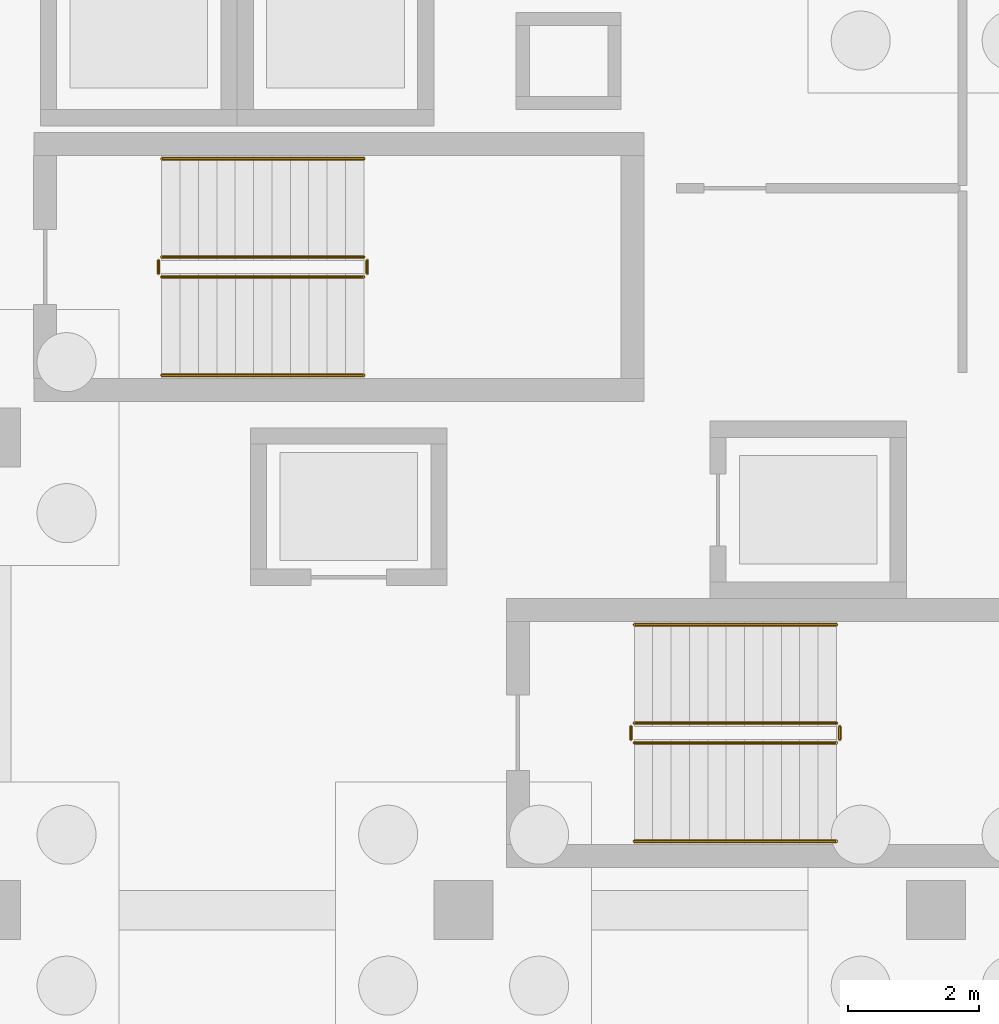
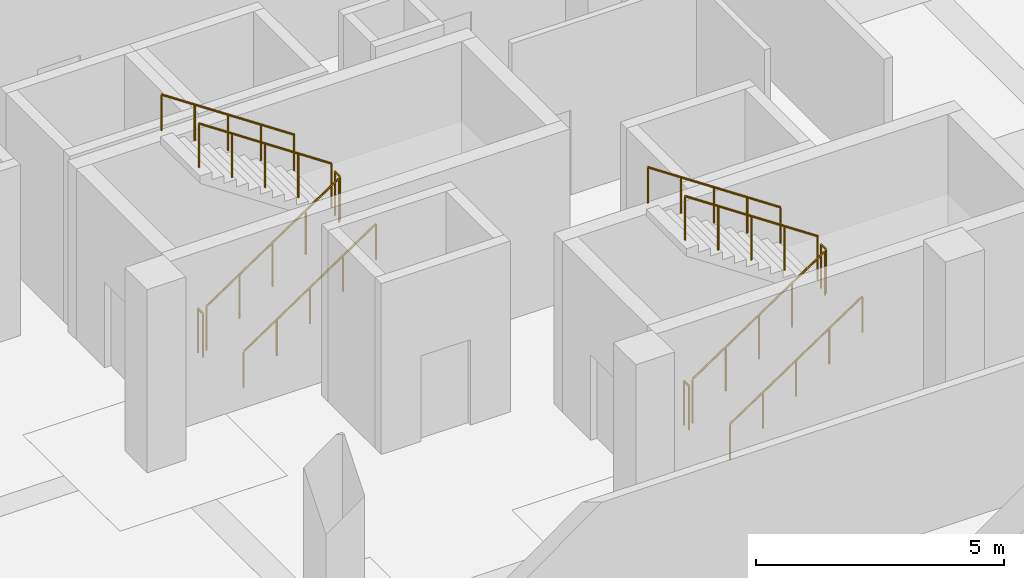
# One storey, part 33 of 36: 12 railings.
"""IFC4 building model written with IfcOpenShell, lengths in metres."""

import ifcopenshell
import ifcopenshell.guid

model = None  # the IFC model being written
_history = None  # IfcOwnerHistory: only IFC2X3 demands one
_inside = {}  # id of a spatial element -> (the spatial element, [elements in it])
_under = {}  # id of a project, library or spatial element -> (it, [spatial elements below it])
_declared = {}  # id of a project -> (the project, [libraries it declares])
_typed = {}  # id of a type object -> (the type object, [elements of that type])
_made_of = {}  # id of a material, layer set ... -> (it, [elements and type objects made of it])


def new_model(schema):
    """Start an empty IFC model of exactly this schema.

    Asked for "IFC4X3", IfcOpenShell would pick the latest addendum, in which some entities
    have other attributes; the version numbers below select the first issue.
    IFC2X3 requires an IfcOwnerHistory on every rooted entity: one is made here for all.
    """
    global model, _history
    if schema == "IFC4X3":
        model = ifcopenshell.file(schema_version=(4, 3, 0, 0))
    else:
        model = ifcopenshell.file(schema=schema)
    _inside.clear()
    _under.clear()
    _declared.clear()
    _typed.clear()
    _made_of.clear()
    _history = None
    if model.schema == "IFC2X3":
        org = make("IfcOrganization", Name="unknown")
        user = make(
            "IfcPersonAndOrganization",
            ThePerson=make("IfcPerson", FamilyName="unknown"),
            TheOrganization=org,
        )
        app = make(
            "IfcApplication",
            ApplicationDeveloper=org,
            Version="unknown",
            ApplicationFullName="unknown",
            ApplicationIdentifier="unknown",
        )
        _history = make(
            "IfcOwnerHistory",
            OwningUser=user,
            OwningApplication=app,
            ChangeAction="ADDED",
            CreationDate=0,
        )
    return model


def make(cls, **values):
    """One entity of the class cls with the attributes given. An attribute that is None is left unset."""
    return model.create_entity(
        cls, **{name: value for name, value in values.items() if value is not None}
    )


def rooted(cls, **values):
    """An entity with a GlobalId (a new one), such as an element, a storey or a relation."""
    return make(cls, GlobalId=ifcopenshell.guid.new(), OwnerHistory=_history, **values)


def si_unit(unit_type, name, prefix=None):
    """IfcSIUnit, for example si_unit("LENGTHUNIT", "METRE", prefix="MILLI")."""
    return make("IfcSIUnit", UnitType=unit_type, Prefix=prefix, Name=name)


def assignment(units):
    """IfcUnitAssignment: the units of a project."""
    return None if units is None else make("IfcUnitAssignment", Units=units)


def point(xyz):
    """IfcCartesianPoint."""
    return None if xyz is None else make("IfcCartesianPoint", Coordinates=xyz)


def direction(xyz):
    """IfcDirection."""
    return None if xyz is None else make("IfcDirection", DirectionRatios=xyz)


def frame(location, z_axis=None, x_axis=None):
    """IfcAxis2Placement3D, a coordinate frame: its origin and axes. An axis left out is left unset."""
    return make(
        "IfcAxis2Placement3D",
        Location=point(location),
        Axis=direction(z_axis),
        RefDirection=direction(x_axis),
    )


def frame_2d(location, x_axis=None):
    """IfcAxis2Placement2D, a coordinate frame in the plane: its origin and x axis."""
    return make(
        "IfcAxis2Placement2D", Location=point(location), RefDirection=direction(x_axis)
    )


def origin():
    """The frame at (0, 0, 0) with its axes left unset."""
    return frame((0.0, 0.0, 0.0))


def origin_2d():
    """The frame at (0, 0) in the plane with its x axis left unset."""
    return frame_2d((0.0, 0.0))


def place(relative_to, where):
    """IfcLocalPlacement: puts the frame where relative to a parent placement (None: the world)."""
    return make(
        "IfcLocalPlacement", PlacementRelTo=relative_to, RelativePlacement=where
    )


def context(
    kind, dimensions, precision=None, world=None, true_north=None, identifier=None
):
    """IfcGeometricRepresentationContext, for example the 3D "Model" context."""
    return make(
        "IfcGeometricRepresentationContext",
        ContextIdentifier=identifier,
        ContextType=kind,
        CoordinateSpaceDimension=dimensions,
        Precision=precision,
        WorldCoordinateSystem=world,
        TrueNorth=true_north,
    )


def subcontext(parent, identifier, kind, view, scale=None):
    """IfcGeometricRepresentationSubContext, for example "Body" below "Model"."""
    return make(
        "IfcGeometricRepresentationSubContext",
        ContextIdentifier=identifier,
        ContextType=kind,
        ParentContext=parent,
        TargetScale=scale,
        TargetView=view,
    )


def project(units=None, contexts=None):
    """IfcProject with its units and contexts."""
    return rooted(
        "IfcProject",
        Name="project",
        RepresentationContexts=contexts,
        UnitsInContext=assignment(units),
    )


def spatial(cls, under=None, at=None, **own):
    """A site, building, storey or space (cls), placed at a placement, below another one or the project."""
    s = rooted(cls, ObjectPlacement=at, **own)
    if under is not None:
        _under.setdefault(under.id(), (under, []))[1].append(s)
    return s


def profile(cls, at=None, kind="AREA", **sizes):
    """A parametric profile (cls). Its sizes go by their IFC names, for example OverallWidth=200.0."""
    return make(cls, ProfileType=kind, Position=at, **sizes)


def circle(**sizes):
    """IfcCircleProfileDef."""
    return profile("IfcCircleProfileDef", **sizes)


def extrude(swept, where, along, depth):
    """IfcExtrudedAreaSolid: the profile swept, set in the frame where, extruded along a direction by depth."""
    return make(
        "IfcExtrudedAreaSolid",
        SweptArea=swept,
        Position=where,
        ExtrudedDirection=direction(along),
        Depth=depth,
    )


def shape(context_of_items, identifier, shape_type, items):
    """IfcShapeRepresentation: the items that make up one representation, for example the "Body"."""
    return make(
        "IfcShapeRepresentation",
        ContextOfItems=context_of_items,
        RepresentationIdentifier=identifier,
        RepresentationType=shape_type,
        Items=items,
    )


def material(Name=None, Category=None):
    """IfcMaterial."""
    return make("IfcMaterial", Name=Name, Category=Category)


def made_of(thing, what):
    """Note that an element or type object is made of a material, layer set ...; save() writes the relation."""
    if what is not None:
        _made_of.setdefault(what.id(), (what, []))[1].append(thing)
    return thing


def type_object(cls, material=None, **own):
    """A type object (cls), such as IfcWallType, which elements share."""
    return made_of(rooted(cls, **own), material)


def element(
    cls,
    number,
    at=None,
    inside=None,
    cuts=None,
    type_object=None,
    material=None,
    context=None,
    identifier="Body",
    shape_type=None,
    held_by="IfcProductDefinitionShape",
    body=None,
    shapes=None,
    **own,
):
    """One element of the class cls, such as IfcWall. Its Tag is "e" and its number.

    at: its placement. inside: the storey or other place that contains it. cuts: it is an
    opening in that element (IfcRelVoidsElement). A single representation is given by context,
    identifier, shape_type and body (its items); several are given by shapes. held_by: the class
    of the entity that holds the representations. save() writes the other relations.
    """
    e = rooted(cls, Tag="e%d" % number, ObjectPlacement=at, **own)
    if body is not None:
        shapes = [shape(context, identifier, shape_type, body)]
    if shapes is not None:
        e.Representation = make(held_by, Representations=shapes)
    if inside is not None:
        _inside.setdefault(inside.id(), (inside, []))[1].append(e)
    if cuts is not None:
        rooted(
            "IfcRelVoidsElement", RelatingBuildingElement=cuts, RelatedOpeningElement=e
        )
    if type_object is not None:
        _typed.setdefault(type_object.id(), (type_object, []))[1].append(e)
    return made_of(e, material)


def aggregate(whole, parts):
    """IfcRelAggregates: a whole, such as a stair, and the parts it consists of."""
    return rooted("IfcRelAggregates", RelatingObject=whole, RelatedObjects=parts)


def save(model, path):
    """Write the relations noted so far, then the file.

    IfcRelAggregates (storeys below a building ...), IfcRelContainedInSpatialStructure (elements
    in a storey), IfcRelDefinesByType, IfcRelAssociatesMaterial and IfcRelDeclares: one each for
    every whole, place, type object, material and project.
    """
    for whole, parts in _under.values():
        aggregate(whole, parts)
    for where, things in _inside.values():
        rooted(
            "IfcRelContainedInSpatialStructure",
            RelatedElements=things,
            RelatingStructure=where,
        )
    for kind, things in _typed.values():
        rooted("IfcRelDefinesByType", RelatedObjects=things, RelatingType=kind)
    for what, things in _made_of.values():
        rooted("IfcRelAssociatesMaterial", RelatedObjects=things, RelatingMaterial=what)
    for by, libraries in _declared.values():
        rooted("IfcRelDeclares", RelatingContext=by, RelatedDefinitions=libraries)
    model.write(path)


model = new_model("IFC4")

# Units and contexts
model_context = context("Model", 3, precision=1e-05, world=origin(), true_north=direction((0.0, 1.0)))
body_context = subcontext(model_context, "Body", "Model", "MODEL_VIEW")
ifc_project = project(units=[si_unit("LENGTHUNIT", "METRE"), si_unit("AREAUNIT", "SQUARE_METRE"), si_unit("VOLUMEUNIT", "CUBIC_METRE"), si_unit("PLANEANGLEUNIT", "RADIAN"), si_unit("MASSUNIT", "GRAM", prefix="KILO")], contexts=[model_context])

# Site, building, storey
site_placement = place(None, origin())
site = spatial("IfcSite", under=ifc_project, at=site_placement, CompositionType="ELEMENT")
building_placement = place(site_placement, origin())
building = spatial("IfcBuilding", under=site, at=building_placement, Name="Kalmorath City Hall", CompositionType="ELEMENT")
storey_placement = place(building_placement, frame((0.0, 0.0, -4.5)))
storey = spatial("IfcBuildingStorey", under=building, at=storey_placement, Name="B1", CompositionType="ELEMENT", Elevation=-4.5)

# Railings
ifc_material_1 = material(Name="Painted steel guardrail", Category="steel")
railing_type_1 = type_object("IfcRailingType", Name="Protected stair guardrail 1100", PredefinedType="GUARDRAIL", material=ifc_material_1)
railing_1_placement = place(storey_placement, frame((9.800048828125, 16.85009765625, 0.1875)))
element("IfcRailing", 1, at=railing_1_placement, inside=storey, type_object=railing_type_1, Name="B1 ST-1 stair guard 1", PredefinedType="GUARDRAIL", context=body_context, shape_type="SweptSolid", body=[
    extrude(circle(Radius=0.02392578125, at=origin_2d()), frame((0.0, 0.0, 1.076171875), z_axis=(0.830893310487, 0.0, 0.556431762742), x_axis=(0.0, 1.0, 0.0)), (0.0, 0.0, 1.0), 3.70654296875),
    extrude(circle(Radius=0.02099609375, at=origin_2d()), origin(), (0.0, 0.0, 1.0), 1.052001953125),
    extrude(circle(Radius=0.02099609375, at=origin_2d()), frame((0.77001953125, 0.0, 0.515625)), (0.0, 0.0, 1.0), 1.052001953125),
    extrude(circle(Radius=0.02099609375, at=origin_2d()), frame((1.5400390625, 0.0, 1.03125)), (0.0, 0.0, 1.0), 1.052001953125),
    extrude(circle(Radius=0.02099609375, at=origin_2d()), frame((2.309814453125, 0.0, 1.546875)), (0.0, 0.0, 1.0), 1.052001953125),
    extrude(circle(Radius=0.02099609375, at=origin_2d()), frame((3.079833984375, 0.0, 2.0625)), (0.0, 0.0, 1.0), 1.052001953125),
])
railing_2_placement = place(storey_placement, frame((12.929931640625, 16.89990234375, 2.25)))
element("IfcRailing", 2, at=railing_2_placement, inside=storey, type_object=railing_type_1, Name="B1 ST-1 stair guard 2", PredefinedType="GUARDRAIL", context=body_context, shape_type="SweptSolid", body=[
    extrude(circle(Radius=0.02392578125, at=origin_2d()), frame((0.0, 0.0, 1.076171875), z_axis=(0.0, 1.0, 0.0), x_axis=(-1.0, 0.0, 0.0)), (0.0, 0.0, 1.0), 0.2001953125),
    extrude(circle(Radius=0.02099609375, at=origin_2d()), origin(), (0.0, 0.0, 1.0), 1.052001953125),
    extrude(circle(Radius=0.02099609375, at=origin_2d()), frame((0.0, 0.2001953125, 0.0)), (0.0, 0.0, 1.0), 1.052001953125),
])
railing_3_placement = place(storey_placement, frame((12.8798828125, 17.14990234375, 2.4375)))
element("IfcRailing", 3, at=railing_3_placement, inside=storey, type_object=railing_type_1, Name="B1 ST-1 stair guard 3", PredefinedType="GUARDRAIL", context=body_context, shape_type="SweptSolid", body=[
    extrude(circle(Radius=0.02392578125, at=origin_2d()), frame((0.0, 0.0, 1.076171875), z_axis=(-0.830893310487, 0.0, 0.556431762742), x_axis=(0.0, -1.0, 0.0)), (0.0, 0.0, 1.0), 3.70654296875),
    extrude(circle(Radius=0.02099609375, at=origin_2d()), origin(), (0.0, 0.0, 1.0), 1.052001953125),
    extrude(circle(Radius=0.02099609375, at=origin_2d()), frame((-0.77001953125, 0.0, 0.515625)), (0.0, 0.0, 1.0), 1.052001953125),
    extrude(circle(Radius=0.02099609375, at=origin_2d()), frame((-1.5400390625, 0.0, 1.03125)), (0.0, 0.0, 1.0), 1.052001953125),
    extrude(circle(Radius=0.02099609375, at=origin_2d()), frame((-2.309814453125, 0.0, 1.546875)), (0.0, 0.0, 1.0), 1.052001953125),
    extrude(circle(Radius=0.02099609375, at=origin_2d()), frame((-3.079833984375, 0.0, 2.0625)), (0.0, 0.0, 1.0), 1.052001953125),
])
railing_4_placement = place(storey_placement, frame((9.75, 16.89990234375, 0.0)))
element("IfcRailing", 4, at=railing_4_placement, inside=storey, type_object=railing_type_1, Name="B1 ST-1 stair guard 4", PredefinedType="GUARDRAIL", context=body_context, shape_type="SweptSolid", body=[
    extrude(circle(Radius=0.02392578125, at=origin_2d()), frame((0.0, 0.0, 1.076171875), z_axis=(0.0, 1.0, 0.0), x_axis=(-1.0, 0.0, 0.0)), (0.0, 0.0, 1.0), 0.2001953125),
    extrude(circle(Radius=0.02099609375, at=origin_2d()), origin(), (0.0, 0.0, 1.0), 1.052001953125),
    extrude(circle(Radius=0.02099609375, at=origin_2d()), frame((0.0, 0.2001953125, 0.0)), (0.0, 0.0, 1.0), 1.052001953125),
])
railing_5_placement = place(storey_placement, frame((17.0, 9.75, 0.1875)))
element("IfcRailing", 5, at=railing_5_placement, inside=storey, type_object=railing_type_1, Name="B1 ST-2 stair guard 1", PredefinedType="GUARDRAIL", context=body_context, shape_type="SweptSolid", body=[
    extrude(circle(Radius=0.02392578125, at=origin_2d()), frame((0.0, 0.0, 1.076171875), z_axis=(0.830913701846, 0.0, 0.55640131208), x_axis=(0.0, 1.0, 0.0)), (0.0, 0.0, 1.0), 3.706787109375),
    extrude(circle(Radius=0.02099609375, at=origin_2d()), origin(), (0.0, 0.0, 1.0), 1.052001953125),
    extrude(circle(Radius=0.02099609375, at=origin_2d()), frame((0.77001953125, 0.0, 0.515625)), (0.0, 0.0, 1.0), 1.052001953125),
    extrude(circle(Radius=0.02099609375, at=origin_2d()), frame((1.5400390625, 0.0, 1.03125)), (0.0, 0.0, 1.0), 1.052001953125),
    extrude(circle(Radius=0.02099609375, at=origin_2d()), frame((2.31005859375, 0.0, 1.546875)), (0.0, 0.0, 1.0), 1.052001953125),
    extrude(circle(Radius=0.02099609375, at=origin_2d()), frame((3.080078125, 0.0, 2.0625)), (0.0, 0.0, 1.0), 1.052001953125),
])
railing_6_placement = place(storey_placement, frame((20.1298828125, 9.800048828125, 2.25)))
element("IfcRailing", 6, at=railing_6_placement, inside=storey, type_object=railing_type_1, Name="B1 ST-2 stair guard 2", PredefinedType="GUARDRAIL", context=body_context, shape_type="SweptSolid", body=[
    extrude(circle(Radius=0.02392578125, at=origin_2d()), frame((0.0, 0.0, 1.076171875), z_axis=(0.0, 1.0, 0.0), x_axis=(-1.0, 0.0, 0.0)), (0.0, 0.0, 1.0), 0.199951171875),
    extrude(circle(Radius=0.02099609375, at=origin_2d()), origin(), (0.0, 0.0, 1.0), 1.052001953125),
    extrude(circle(Radius=0.02099609375, at=origin_2d()), frame((0.0, 0.199951171875, 0.0)), (0.0, 0.0, 1.0), 1.052001953125),
])
railing_7_placement = place(storey_placement, frame((20.080078125, 10.050048828125, 2.4375)))
element("IfcRailing", 7, at=railing_7_placement, inside=storey, type_object=railing_type_1, Name="B1 ST-2 stair guard 3", PredefinedType="GUARDRAIL", context=body_context, shape_type="SweptSolid", body=[
    extrude(circle(Radius=0.02392578125, at=origin_2d()), frame((0.0, 0.0, 1.076171875), z_axis=(-0.830913701846, 0.0, 0.55640131208), x_axis=(0.0, -1.0, 0.0)), (0.0, 0.0, 1.0), 3.706787109375),
    extrude(circle(Radius=0.02099609375, at=origin_2d()), origin(), (0.0, 0.0, 1.0), 1.052001953125),
    extrude(circle(Radius=0.02099609375, at=origin_2d()), frame((-0.77001953125, 0.0, 0.515625)), (0.0, 0.0, 1.0), 1.052001953125),
    extrude(circle(Radius=0.02099609375, at=origin_2d()), frame((-1.5400390625, 0.0, 1.03125)), (0.0, 0.0, 1.0), 1.052001953125),
    extrude(circle(Radius=0.02099609375, at=origin_2d()), frame((-2.31005859375, 0.0, 1.546875)), (0.0, 0.0, 1.0), 1.052001953125),
    extrude(circle(Radius=0.02099609375, at=origin_2d()), frame((-3.080078125, 0.0, 2.0625)), (0.0, 0.0, 1.0), 1.052001953125),
])
railing_8_placement = place(storey_placement, frame((16.949951171875, 9.800048828125, 0.0)))
element("IfcRailing", 8, at=railing_8_placement, inside=storey, type_object=railing_type_1, Name="B1 ST-2 stair guard 4", PredefinedType="GUARDRAIL", context=body_context, shape_type="SweptSolid", body=[
    extrude(circle(Radius=0.02392578125, at=origin_2d()), frame((0.0, 0.0, 1.076171875), z_axis=(0.0, 1.0, 0.0), x_axis=(-1.0, 0.0, 0.0)), (0.0, 0.0, 1.0), 0.199951171875),
    extrude(circle(Radius=0.02099609375, at=origin_2d()), origin(), (0.0, 0.0, 1.0), 1.052001953125),
    extrude(circle(Radius=0.02099609375, at=origin_2d()), frame((0.0, 0.199951171875, 0.0)), (0.0, 0.0, 1.0), 1.052001953125),
])
ifc_material_2 = material(Name="Brushed stainless steel handrail", Category="steel")
railing_type_2 = type_object("IfcRailingType", Name="Stair pitch handrail 900", PredefinedType="HANDRAIL", material=ifc_material_2)
railing_9_placement = place(storey_placement, frame((9.800048828125, 15.35009765625, 0.1875)))
element("IfcRailing", 9, at=railing_9_placement, inside=storey, type_object=railing_type_2, Name="B1 ST-1 stair handrail 1", PredefinedType="HANDRAIL", context=body_context, shape_type="SweptSolid", body=[
    extrude(circle(Radius=0.02392578125, at=origin_2d()), frame((0.0, 0.0, 0.8759765625), z_axis=(0.830893310487, 0.0, 0.556431762742), x_axis=(0.0, 1.0, 0.0)), (0.0, 0.0, 1.0), 3.70654296875),
    extrude(circle(Radius=0.02099609375, at=origin_2d()), origin(), (0.0, 0.0, 1.0), 0.851806640625),
    extrude(circle(Radius=0.02099609375, at=origin_2d()), frame((0.77001953125, 0.0, 0.515625)), (0.0, 0.0, 1.0), 0.851806640625),
    extrude(circle(Radius=0.02099609375, at=origin_2d()), frame((1.5400390625, 0.0, 1.03125)), (0.0, 0.0, 1.0), 0.851806640625),
    extrude(circle(Radius=0.02099609375, at=origin_2d()), frame((2.309814453125, 0.0, 1.546875)), (0.0, 0.0, 1.0), 0.851806640625),
    extrude(circle(Radius=0.02099609375, at=origin_2d()), frame((3.079833984375, 0.0, 2.0625)), (0.0, 0.0, 1.0), 0.851806640625),
])
railing_10_placement = place(storey_placement, frame((12.8798828125, 18.64990234375, 2.4375)))
element("IfcRailing", 10, at=railing_10_placement, inside=storey, type_object=railing_type_2, Name="B1 ST-1 stair handrail 2", PredefinedType="HANDRAIL", context=body_context, shape_type="SweptSolid", body=[
    extrude(circle(Radius=0.02392578125, at=origin_2d()), frame((0.0, 0.0, 0.8759765625), z_axis=(-0.830893310487, 0.0, 0.556431762742), x_axis=(0.0, -1.0, 0.0)), (0.0, 0.0, 1.0), 3.70654296875),
    extrude(circle(Radius=0.02099609375, at=origin_2d()), origin(), (0.0, 0.0, 1.0), 0.851806640625),
    extrude(circle(Radius=0.02099609375, at=origin_2d()), frame((-0.77001953125, 0.0, 0.515625)), (0.0, 0.0, 1.0), 0.851806640625),
    extrude(circle(Radius=0.02099609375, at=origin_2d()), frame((-1.5400390625, 0.0, 1.03125)), (0.0, 0.0, 1.0), 0.851806640625),
    extrude(circle(Radius=0.02099609375, at=origin_2d()), frame((-2.309814453125, 0.0, 1.546875)), (0.0, 0.0, 1.0), 0.851806640625),
    extrude(circle(Radius=0.02099609375, at=origin_2d()), frame((-3.079833984375, 0.0, 2.0625)), (0.0, 0.0, 1.0), 0.851806640625),
])
railing_11_placement = place(storey_placement, frame((17.0, 8.25, 0.1875)))
element("IfcRailing", 11, at=railing_11_placement, inside=storey, type_object=railing_type_2, Name="B1 ST-2 stair handrail 1", PredefinedType="HANDRAIL", context=body_context, shape_type="SweptSolid", body=[
    extrude(circle(Radius=0.02392578125, at=origin_2d()), frame((0.0, 0.0, 0.8759765625), z_axis=(0.830913701846, 0.0, 0.55640131208), x_axis=(0.0, 1.0, 0.0)), (0.0, 0.0, 1.0), 3.706787109375),
    extrude(circle(Radius=0.02099609375, at=origin_2d()), origin(), (0.0, 0.0, 1.0), 0.851806640625),
    extrude(circle(Radius=0.02099609375, at=origin_2d()), frame((0.77001953125, 0.0, 0.515625)), (0.0, 0.0, 1.0), 0.851806640625),
    extrude(circle(Radius=0.02099609375, at=origin_2d()), frame((1.5400390625, 0.0, 1.03125)), (0.0, 0.0, 1.0), 0.851806640625),
    extrude(circle(Radius=0.02099609375, at=origin_2d()), frame((2.31005859375, 0.0, 1.546875)), (0.0, 0.0, 1.0), 0.851806640625),
    extrude(circle(Radius=0.02099609375, at=origin_2d()), frame((3.080078125, 0.0, 2.0625)), (0.0, 0.0, 1.0), 0.851806640625),
])
railing_12_placement = place(storey_placement, frame((20.080078125, 11.550048828125, 2.4375)))
element("IfcRailing", 12, at=railing_12_placement, inside=storey, type_object=railing_type_2, Name="B1 ST-2 stair handrail 2", PredefinedType="HANDRAIL", context=body_context, shape_type="SweptSolid", body=[
    extrude(circle(Radius=0.02392578125, at=origin_2d()), frame((0.0, 0.0, 0.8759765625), z_axis=(-0.830913701846, 0.0, 0.55640131208), x_axis=(0.0, -1.0, 0.0)), (0.0, 0.0, 1.0), 3.706787109375),
    extrude(circle(Radius=0.02099609375, at=origin_2d()), origin(), (0.0, 0.0, 1.0), 0.851806640625),
    extrude(circle(Radius=0.02099609375, at=origin_2d()), frame((-0.77001953125, 0.0, 0.515625)), (0.0, 0.0, 1.0), 0.851806640625),
    extrude(circle(Radius=0.02099609375, at=origin_2d()), frame((-1.5400390625, 0.0, 1.03125)), (0.0, 0.0, 1.0), 0.851806640625),
    extrude(circle(Radius=0.02099609375, at=origin_2d()), frame((-2.31005859375, 0.0, 1.546875)), (0.0, 0.0, 1.0), 0.851806640625),
    extrude(circle(Radius=0.02099609375, at=origin_2d()), frame((-3.080078125, 0.0, 2.0625)), (0.0, 0.0, 1.0), 0.851806640625),
])

save(model, "model.ifc")
